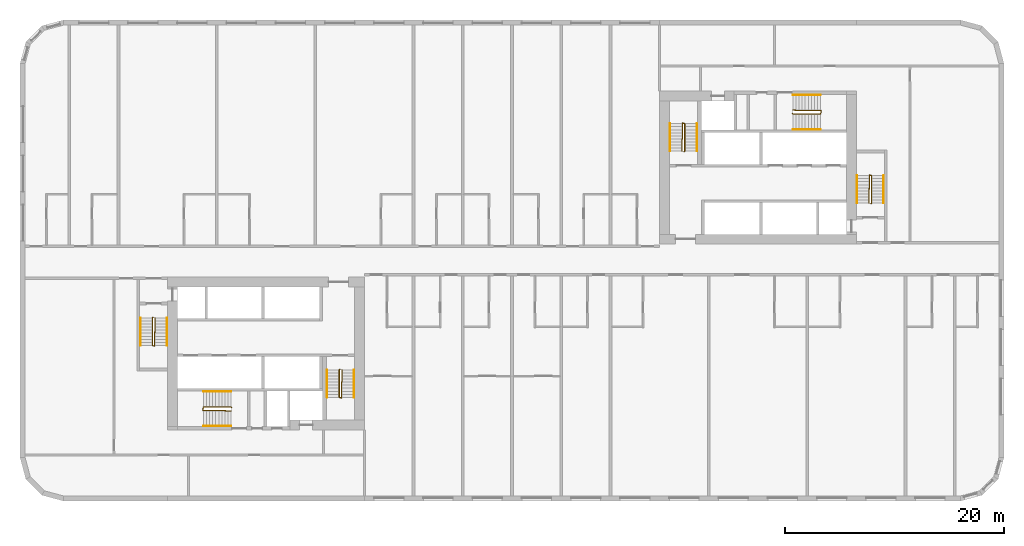
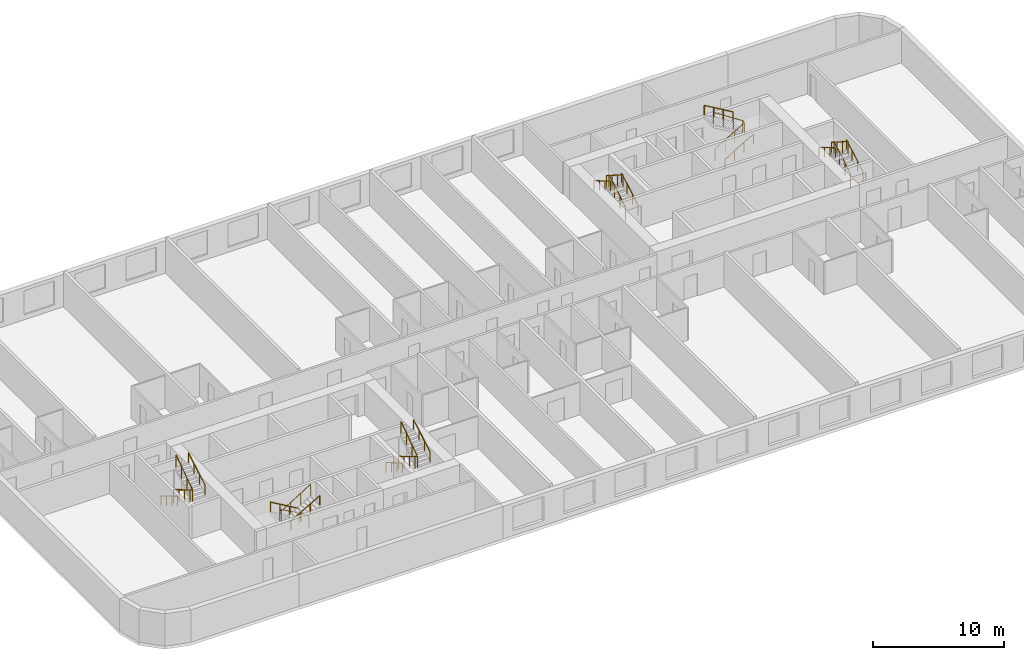
# One storey, part 12 of 12: 18 railings.
"""IFC4 building model written with IfcOpenShell, lengths in metres."""

from ifc_helpers import new_model, si_unit, direction, frame, origin, origin_2d, place, context, subcontext, project, spatial, circle, extrude, material, type_object, element, save


model = new_model("IFC4")

# Units and contexts
model_context = context("Model", 3, precision=1e-05, world=origin(), true_north=direction((0.0, 1.0)))
body_context = subcontext(model_context, "Body", "Model", "MODEL_VIEW")
ifc_project = project(units=[si_unit("LENGTHUNIT", "METRE"), si_unit("AREAUNIT", "SQUARE_METRE"), si_unit("VOLUMEUNIT", "CUBIC_METRE"), si_unit("PLANEANGLEUNIT", "RADIAN"), si_unit("MASSUNIT", "GRAM", prefix="KILO")], contexts=[model_context])

# Site, building, storey
site_placement = place(None, origin())
site = spatial("IfcSite", under=ifc_project, at=site_placement, CompositionType="ELEMENT")
building_placement = place(site_placement, origin())
building = spatial("IfcBuilding", under=site, at=building_placement, Name="Kajstack Hotel Tower", CompositionType="ELEMENT")
storey_placement = place(building_placement, frame((0.0, 0.0, 93.0)))
storey = spatial("IfcBuildingStorey", under=building, at=storey_placement, Name="L19", CompositionType="ELEMENT", Elevation=93.0)

# Railings
ifc_material = material(Name="Steel S355J2", Category="steel")
railing_type_1 = type_object("IfcRailingType", Name="Stair guard 1100", PredefinedType="GUARDRAIL", material=ifc_material)
railing_1_placement = place(storey_placement, frame((-32.85009765625, -5.199951171875, 0.0)))
element("IfcRailing", 1, at=railing_1_placement, inside=storey, type_object=railing_type_1, Name="L19 W1 stair guard 1", PredefinedType="GUARDRAIL", context=body_context, shape_type="SweptSolid", body=[
    extrude(circle(Radius=0.02392578125, at=origin_2d()), frame((0.0, 0.0, 1.076171875), z_axis=(-0.277450376394, -0.278810427259, 0.919394384522), x_axis=(0.708833529934, -0.705375805398, 0.0)), (0.0, 0.0, 1.0), 0.179443359375),
    extrude(circle(Radius=0.02392578125, at=origin_2d()), frame((-0.0498046875, -0.050048828125, 1.2412109375), z_axis=(0.0, -0.861560626758, 0.507654692109), x_axis=(1.0, 0.0, 0.0)), (0.0, 0.0, 1.0), 2.925048828125),
    extrude(circle(Radius=0.02392578125, at=origin_2d()), frame((-0.0498046875, -2.570068359375, 2.72607421875), z_axis=(0.970072785993, -0.242814311512, 0.0), x_axis=(0.242814311512, 0.970072785993, 0.0)), (0.0, 0.0, 1.0), 0.2060546875),
    extrude(circle(Radius=0.02392578125, at=origin_2d()), frame((0.150146484375, -2.6201171875, 2.72607421875), z_axis=(0.016384601254, 0.84136925563, 0.540212292087), x_axis=(-0.999810440751, 0.019470042781, 0.0)), (0.0, 0.0, 1.0), 3.0546875),
    extrude(circle(Radius=0.02099609375, at=origin_2d()), origin(), (0.0, 0.0, 1.0), 1.052001953125),
    extrude(circle(Radius=0.02099609375, at=origin_2d()), frame((-0.0498046875, -0.050048828125, 0.1650390625)), (0.0, 0.0, 1.0), 1.052001953125),
    extrude(circle(Radius=0.02099609375, at=origin_2d()), frame((-0.0498046875, -0.89013671875, 0.659912109375)), (0.0, 0.0, 1.0), 1.052001953125),
    extrude(circle(Radius=0.02099609375, at=origin_2d()), frame((-0.0498046875, -1.72998046875, 1.155029296875)), (0.0, 0.0, 1.0), 1.052001953125),
    extrude(circle(Radius=0.02099609375, at=origin_2d()), frame((-0.0498046875, -2.570068359375, 1.64990234375)), (0.0, 0.0, 1.0), 1.052001953125),
    extrude(circle(Radius=0.02099609375, at=origin_2d()), frame((0.150146484375, -2.6201171875, 1.64990234375)), (0.0, 0.0, 1.0), 1.052001953125),
    extrude(circle(Radius=0.02099609375, at=origin_2d()), frame((0.166748046875, -1.763427734375, 2.199951171875)), (0.0, 0.0, 1.0), 1.052001953125),
    extrude(circle(Radius=0.02099609375, at=origin_2d()), frame((0.18359375, -0.90673828125, 2.75)), (0.0, 0.0, 1.0), 1.052001953125),
    extrude(circle(Radius=0.02099609375, at=origin_2d()), frame((0.2001953125, -0.050048828125, 3.300048828125)), (0.0, 0.0, 1.0), 1.052001953125),
])
railing_2_placement = place(storey_placement, frame((-15.75, -9.949951171875, 0.0)))
element("IfcRailing", 2, at=railing_2_placement, inside=storey, type_object=railing_type_1, Name="L19 W2 stair guard 1", PredefinedType="GUARDRAIL", context=body_context, shape_type="SweptSolid", body=[
    extrude(circle(Radius=0.02392578125, at=origin_2d()), frame((0.0, 0.0, 1.076171875), z_axis=(-0.278705021027, -0.278705021027, 0.919046801044), x_axis=(0.707106781187, -0.707106781187, 0.0)), (0.0, 0.0, 1.0), 0.1796875),
    extrude(circle(Radius=0.02392578125, at=origin_2d()), frame((-0.050048828125, -0.050048828125, 1.2412109375), z_axis=(0.0, -0.861560626758, 0.507654692109), x_axis=(1.0, 0.0, 0.0)), (0.0, 0.0, 1.0), 2.925048828125),
    extrude(circle(Radius=0.02392578125, at=origin_2d()), frame((-0.050048828125, -2.570068359375, 2.72607421875), z_axis=(0.970072785993, -0.242814311512, 0.0), x_axis=(0.242814311512, 0.970072785993, 0.0)), (0.0, 0.0, 1.0), 0.2060546875),
    extrude(circle(Radius=0.02392578125, at=origin_2d()), frame((0.14990234375, -2.6201171875, 2.72607421875), z_axis=(0.016384601254, 0.84136925563, 0.540212292087), x_axis=(-0.999810440751, 0.019470042781, 0.0)), (0.0, 0.0, 1.0), 3.0546875),
    extrude(circle(Radius=0.02099609375, at=origin_2d()), origin(), (0.0, 0.0, 1.0), 1.052001953125),
    extrude(circle(Radius=0.02099609375, at=origin_2d()), frame((-0.050048828125, -0.050048828125, 0.1650390625)), (0.0, 0.0, 1.0), 1.052001953125),
    extrude(circle(Radius=0.02099609375, at=origin_2d()), frame((-0.050048828125, -0.89013671875, 0.659912109375)), (0.0, 0.0, 1.0), 1.052001953125),
    extrude(circle(Radius=0.02099609375, at=origin_2d()), frame((-0.050048828125, -1.72998046875, 1.155029296875)), (0.0, 0.0, 1.0), 1.052001953125),
    extrude(circle(Radius=0.02099609375, at=origin_2d()), frame((-0.050048828125, -2.570068359375, 1.64990234375)), (0.0, 0.0, 1.0), 1.052001953125),
    extrude(circle(Radius=0.02099609375, at=origin_2d()), frame((0.14990234375, -2.6201171875, 1.64990234375)), (0.0, 0.0, 1.0), 1.052001953125),
    extrude(circle(Radius=0.02099609375, at=origin_2d()), frame((0.16650390625, -1.763427734375, 2.199951171875)), (0.0, 0.0, 1.0), 1.052001953125),
    extrude(circle(Radius=0.02099609375, at=origin_2d()), frame((0.183349609375, -0.90673828125, 2.75)), (0.0, 0.0, 1.0), 1.052001953125),
    extrude(circle(Radius=0.02099609375, at=origin_2d()), frame((0.199951171875, -0.050048828125, 3.300048828125)), (0.0, 0.0, 1.0), 1.052001953125),
])
railing_3_placement = place(storey_placement, frame((-25.64990234375, -13.449951171875, 0.0)))
element("IfcRailing", 3, at=railing_3_placement, inside=storey, type_object=railing_type_1, Name="L19 W3 stair guard 1", PredefinedType="GUARDRAIL", context=body_context, shape_type="SweptSolid", body=[
    extrude(circle(Radius=0.02392578125, at=origin_2d()), frame((0.0, 0.0, 1.076171875), z_axis=(-0.278705021027, 0.278705021027, 0.919046801044), x_axis=(-0.707106781187, -0.707106781187, 0.0)), (0.0, 0.0, 1.0), 0.1796875),
    extrude(circle(Radius=0.02392578125, at=origin_2d()), frame((-0.050048828125, 0.050048828125, 1.2412109375), z_axis=(-0.861560626758, 0.0, 0.507654692109), x_axis=(0.0, -1.0, 0.0)), (0.0, 0.0, 1.0), 2.925048828125),
    extrude(circle(Radius=0.02392578125, at=origin_2d()), frame((-2.570068359375, 0.050048828125, 2.72607421875), z_axis=(-0.164529134168, -0.986372223864, 0.0), x_axis=(0.986372223864, -0.164529134168, 0.0)), (0.0, 0.0, 1.0), 0.30419921875),
    extrude(circle(Radius=0.02392578125, at=origin_2d()), frame((-2.6201171875, -0.25, 2.72607421875), z_axis=(0.84136925563, -0.016384601254, 0.540212292087), x_axis=(0.019470042781, 0.999810440751, 0.0)), (0.0, 0.0, 1.0), 3.0546875),
    extrude(circle(Radius=0.02099609375, at=origin_2d()), origin(), (0.0, 0.0, 1.0), 1.052001953125),
    extrude(circle(Radius=0.02099609375, at=origin_2d()), frame((-0.050048828125, 0.050048828125, 0.1650390625)), (0.0, 0.0, 1.0), 1.052001953125),
    extrude(circle(Radius=0.02099609375, at=origin_2d()), frame((-0.89013671875, 0.050048828125, 0.659912109375)), (0.0, 0.0, 1.0), 1.052001953125),
    extrude(circle(Radius=0.02099609375, at=origin_2d()), frame((-1.72998046875, 0.050048828125, 1.155029296875)), (0.0, 0.0, 1.0), 1.052001953125),
    extrude(circle(Radius=0.02099609375, at=origin_2d()), frame((-2.570068359375, 0.050048828125, 1.64990234375)), (0.0, 0.0, 1.0), 1.052001953125),
    extrude(circle(Radius=0.02099609375, at=origin_2d()), frame((-2.6201171875, -0.25, 1.64990234375)), (0.0, 0.0, 1.0), 1.052001953125),
    extrude(circle(Radius=0.02099609375, at=origin_2d()), frame((-1.763427734375, -0.2666015625, 2.199951171875)), (0.0, 0.0, 1.0), 1.052001953125),
    extrude(circle(Radius=0.02099609375, at=origin_2d()), frame((-0.90673828125, -0.283447265625, 2.75)), (0.0, 0.0, 1.0), 1.052001953125),
    extrude(circle(Radius=0.02099609375, at=origin_2d()), frame((-0.050048828125, -0.300048828125, 3.300048828125)), (0.0, 0.0, 1.0), 1.052001953125),
])
railing_4_placement = place(storey_placement, frame((32.85009765625, 5.199951171875, 0.0)))
element("IfcRailing", 4, at=railing_4_placement, inside=storey, type_object=railing_type_1, Name="L19 E1 stair guard 1", PredefinedType="GUARDRAIL", context=body_context, shape_type="SweptSolid", body=[
    extrude(circle(Radius=0.02392578125, at=origin_2d()), frame((0.0, 0.0, 1.076171875), z_axis=(0.277450376394, 0.278810427259, 0.919394384522), x_axis=(-0.708833529934, 0.705375805398, 0.0)), (0.0, 0.0, 1.0), 0.179443359375),
    extrude(circle(Radius=0.02392578125, at=origin_2d()), frame((0.0498046875, 0.050048828125, 1.2412109375), z_axis=(0.0, 0.861560626758, 0.507654692109), x_axis=(-1.0, 0.0, 0.0)), (0.0, 0.0, 1.0), 2.925048828125),
    extrude(circle(Radius=0.02392578125, at=origin_2d()), frame((0.0498046875, 2.570068359375, 2.72607421875), z_axis=(-0.970072785993, 0.242814311512, 0.0), x_axis=(-0.242814311512, -0.970072785993, 0.0)), (0.0, 0.0, 1.0), 0.2060546875),
    extrude(circle(Radius=0.02392578125, at=origin_2d()), frame((-0.150146484375, 2.6201171875, 2.72607421875), z_axis=(-0.016384601254, -0.84136925563, 0.540212292087), x_axis=(0.999810440751, -0.019470042781, 0.0)), (0.0, 0.0, 1.0), 3.0546875),
    extrude(circle(Radius=0.02099609375, at=origin_2d()), origin(), (0.0, 0.0, 1.0), 1.052001953125),
    extrude(circle(Radius=0.02099609375, at=origin_2d()), frame((0.0498046875, 0.050048828125, 0.1650390625)), (0.0, 0.0, 1.0), 1.052001953125),
    extrude(circle(Radius=0.02099609375, at=origin_2d()), frame((0.0498046875, 0.89013671875, 0.659912109375)), (0.0, 0.0, 1.0), 1.052001953125),
    extrude(circle(Radius=0.02099609375, at=origin_2d()), frame((0.0498046875, 1.72998046875, 1.155029296875)), (0.0, 0.0, 1.0), 1.052001953125),
    extrude(circle(Radius=0.02099609375, at=origin_2d()), frame((0.0498046875, 2.570068359375, 1.64990234375)), (0.0, 0.0, 1.0), 1.052001953125),
    extrude(circle(Radius=0.02099609375, at=origin_2d()), frame((-0.150146484375, 2.6201171875, 1.64990234375)), (0.0, 0.0, 1.0), 1.052001953125),
    extrude(circle(Radius=0.02099609375, at=origin_2d()), frame((-0.166748046875, 1.763427734375, 2.199951171875)), (0.0, 0.0, 1.0), 1.052001953125),
    extrude(circle(Radius=0.02099609375, at=origin_2d()), frame((-0.18359375, 0.90673828125, 2.75)), (0.0, 0.0, 1.0), 1.052001953125),
    extrude(circle(Radius=0.02099609375, at=origin_2d()), frame((-0.2001953125, 0.050048828125, 3.300048828125)), (0.0, 0.0, 1.0), 1.052001953125),
])
railing_5_placement = place(storey_placement, frame((15.75, 9.949951171875, 0.0)))
element("IfcRailing", 5, at=railing_5_placement, inside=storey, type_object=railing_type_1, Name="L19 E2 stair guard 1", PredefinedType="GUARDRAIL", context=body_context, shape_type="SweptSolid", body=[
    extrude(circle(Radius=0.02392578125, at=origin_2d()), frame((0.0, 0.0, 1.076171875), z_axis=(0.278705021027, 0.278705021027, 0.919046801044), x_axis=(-0.707106781187, 0.707106781187, 0.0)), (0.0, 0.0, 1.0), 0.1796875),
    extrude(circle(Radius=0.02392578125, at=origin_2d()), frame((0.050048828125, 0.050048828125, 1.2412109375), z_axis=(0.0, 0.861560626758, 0.507654692109), x_axis=(-1.0, 0.0, 0.0)), (0.0, 0.0, 1.0), 2.925048828125),
    extrude(circle(Radius=0.02392578125, at=origin_2d()), frame((0.050048828125, 2.570068359375, 2.72607421875), z_axis=(-0.970072785993, 0.242814311512, 0.0), x_axis=(-0.242814311512, -0.970072785993, 0.0)), (0.0, 0.0, 1.0), 0.2060546875),
    extrude(circle(Radius=0.02392578125, at=origin_2d()), frame((-0.14990234375, 2.6201171875, 2.72607421875), z_axis=(-0.016384601254, -0.84136925563, 0.540212292087), x_axis=(0.999810440751, -0.019470042781, 0.0)), (0.0, 0.0, 1.0), 3.0546875),
    extrude(circle(Radius=0.02099609375, at=origin_2d()), origin(), (0.0, 0.0, 1.0), 1.052001953125),
    extrude(circle(Radius=0.02099609375, at=origin_2d()), frame((0.050048828125, 0.050048828125, 0.1650390625)), (0.0, 0.0, 1.0), 1.052001953125),
    extrude(circle(Radius=0.02099609375, at=origin_2d()), frame((0.050048828125, 0.89013671875, 0.659912109375)), (0.0, 0.0, 1.0), 1.052001953125),
    extrude(circle(Radius=0.02099609375, at=origin_2d()), frame((0.050048828125, 1.72998046875, 1.155029296875)), (0.0, 0.0, 1.0), 1.052001953125),
    extrude(circle(Radius=0.02099609375, at=origin_2d()), frame((0.050048828125, 2.570068359375, 1.64990234375)), (0.0, 0.0, 1.0), 1.052001953125),
    extrude(circle(Radius=0.02099609375, at=origin_2d()), frame((-0.14990234375, 2.6201171875, 1.64990234375)), (0.0, 0.0, 1.0), 1.052001953125),
    extrude(circle(Radius=0.02099609375, at=origin_2d()), frame((-0.16650390625, 1.763427734375, 2.199951171875)), (0.0, 0.0, 1.0), 1.052001953125),
    extrude(circle(Radius=0.02099609375, at=origin_2d()), frame((-0.183349609375, 0.90673828125, 2.75)), (0.0, 0.0, 1.0), 1.052001953125),
    extrude(circle(Radius=0.02099609375, at=origin_2d()), frame((-0.199951171875, 0.050048828125, 3.300048828125)), (0.0, 0.0, 1.0), 1.052001953125),
])
railing_6_placement = place(storey_placement, frame((25.64990234375, 13.449951171875, 0.0)))
element("IfcRailing", 6, at=railing_6_placement, inside=storey, type_object=railing_type_1, Name="L19 E3 stair guard 1", PredefinedType="GUARDRAIL", context=body_context, shape_type="SweptSolid", body=[
    extrude(circle(Radius=0.02392578125, at=origin_2d()), frame((0.0, 0.0, 1.076171875), z_axis=(0.278705021027, -0.278705021027, 0.919046801044), x_axis=(0.707106781187, 0.707106781187, 0.0)), (0.0, 0.0, 1.0), 0.1796875),
    extrude(circle(Radius=0.02392578125, at=origin_2d()), frame((0.050048828125, -0.050048828125, 1.2412109375), z_axis=(0.861560626758, 0.0, 0.507654692109), x_axis=(0.0, 1.0, 0.0)), (0.0, 0.0, 1.0), 2.925048828125),
    extrude(circle(Radius=0.02392578125, at=origin_2d()), frame((2.570068359375, -0.050048828125, 2.72607421875), z_axis=(0.164529134168, 0.986372223864, 0.0), x_axis=(-0.986372223864, 0.164529134168, 0.0)), (0.0, 0.0, 1.0), 0.30419921875),
    extrude(circle(Radius=0.02392578125, at=origin_2d()), frame((2.6201171875, 0.25, 2.72607421875), z_axis=(-0.84136925563, 0.016384601254, 0.540212292087), x_axis=(-0.019470042781, -0.999810440751, 0.0)), (0.0, 0.0, 1.0), 3.0546875),
    extrude(circle(Radius=0.02099609375, at=origin_2d()), origin(), (0.0, 0.0, 1.0), 1.052001953125),
    extrude(circle(Radius=0.02099609375, at=origin_2d()), frame((0.050048828125, -0.050048828125, 0.1650390625)), (0.0, 0.0, 1.0), 1.052001953125),
    extrude(circle(Radius=0.02099609375, at=origin_2d()), frame((0.89013671875, -0.050048828125, 0.659912109375)), (0.0, 0.0, 1.0), 1.052001953125),
    extrude(circle(Radius=0.02099609375, at=origin_2d()), frame((1.72998046875, -0.050048828125, 1.155029296875)), (0.0, 0.0, 1.0), 1.052001953125),
    extrude(circle(Radius=0.02099609375, at=origin_2d()), frame((2.570068359375, -0.050048828125, 1.64990234375)), (0.0, 0.0, 1.0), 1.052001953125),
    extrude(circle(Radius=0.02099609375, at=origin_2d()), frame((2.6201171875, 0.25, 1.64990234375)), (0.0, 0.0, 1.0), 1.052001953125),
    extrude(circle(Radius=0.02099609375, at=origin_2d()), frame((1.763427734375, 0.2666015625, 2.199951171875)), (0.0, 0.0, 1.0), 1.052001953125),
    extrude(circle(Radius=0.02099609375, at=origin_2d()), frame((0.90673828125, 0.283447265625, 2.75)), (0.0, 0.0, 1.0), 1.052001953125),
    extrude(circle(Radius=0.02099609375, at=origin_2d()), frame((0.050048828125, 0.300048828125, 3.300048828125)), (0.0, 0.0, 1.0), 1.052001953125),
])
railing_type_2 = type_object("IfcRailingType", Name="Stair handrail 900", PredefinedType="HANDRAIL", material=ifc_material)
railing_7_placement = place(storey_placement, frame((-34.0, -5.25, 0.1650390625)))
element("IfcRailing", 7, at=railing_7_placement, inside=storey, type_object=railing_type_2, Name="L19 W1 stair handrail 1", PredefinedType="HANDRAIL", context=body_context, shape_type="SweptSolid", body=[
    extrude(circle(Radius=0.02392578125, at=origin_2d()), frame((0.0, 0.0, 0.8759765625), z_axis=(0.0, -0.861560626758, 0.507654692109), x_axis=(1.0, 0.0, 0.0)), (0.0, 0.0, 1.0), 2.925048828125),
    extrude(circle(Radius=0.02099609375, at=origin_2d()), origin(), (0.0, 0.0, 1.0), 0.851806640625),
    extrude(circle(Radius=0.02099609375, at=origin_2d()), frame((0.0, -0.840087890625, 0.494873046875)), (0.0, 0.0, 1.0), 0.851806640625),
    extrude(circle(Radius=0.02099609375, at=origin_2d()), frame((0.0, -1.679931640625, 0.989990234375)), (0.0, 0.0, 1.0), 0.851806640625),
    extrude(circle(Radius=0.02099609375, at=origin_2d()), frame((0.0, -2.52001953125, 1.48486328125)), (0.0, 0.0, 1.0), 0.851806640625),
])
railing_8_placement = place(storey_placement, frame((-31.550048828125, -7.77001953125, 1.81494140625)))
element("IfcRailing", 8, at=railing_8_placement, inside=storey, type_object=railing_type_2, Name="L19 W1 stair handrail 2", PredefinedType="HANDRAIL", context=body_context, shape_type="SweptSolid", body=[
    extrude(circle(Radius=0.02392578125, at=origin_2d()), frame((0.0, 0.0, 0.8759765625), z_axis=(0.0, 0.86152411907, 0.507716645641), x_axis=(-1.0, 0.0, 0.0)), (0.0, 0.0, 1.0), 2.925048828125),
    extrude(circle(Radius=0.02099609375, at=origin_2d()), origin(), (0.0, 0.0, 1.0), 0.851806640625),
    extrude(circle(Radius=0.02099609375, at=origin_2d()), frame((0.0, 0.840087890625, 0.4951171875)), (0.0, 0.0, 1.0), 0.851806640625),
    extrude(circle(Radius=0.02099609375, at=origin_2d()), frame((0.0, 1.679931640625, 0.989990234375)), (0.0, 0.0, 1.0), 0.851806640625),
    extrude(circle(Radius=0.02099609375, at=origin_2d()), frame((0.0, 2.52001953125, 1.485107421875)), (0.0, 0.0, 1.0), 0.851806640625),
])
railing_9_placement = place(storey_placement, frame((-16.89990234375, -10.0, 0.1650390625)))
element("IfcRailing", 9, at=railing_9_placement, inside=storey, type_object=railing_type_2, Name="L19 W2 stair handrail 1", PredefinedType="HANDRAIL", context=body_context, shape_type="SweptSolid", body=[
    extrude(circle(Radius=0.02392578125, at=origin_2d()), frame((0.0, 0.0, 0.8759765625), z_axis=(0.0, -0.861560626758, 0.507654692109), x_axis=(1.0, 0.0, 0.0)), (0.0, 0.0, 1.0), 2.925048828125),
    extrude(circle(Radius=0.02099609375, at=origin_2d()), origin(), (0.0, 0.0, 1.0), 0.851806640625),
    extrude(circle(Radius=0.02099609375, at=origin_2d()), frame((0.0, -0.840087890625, 0.494873046875)), (0.0, 0.0, 1.0), 0.851806640625),
    extrude(circle(Radius=0.02099609375, at=origin_2d()), frame((0.0, -1.679931640625, 0.989990234375)), (0.0, 0.0, 1.0), 0.851806640625),
    extrude(circle(Radius=0.02099609375, at=origin_2d()), frame((0.0, -2.52001953125, 1.48486328125)), (0.0, 0.0, 1.0), 0.851806640625),
])
railing_10_placement = place(storey_placement, frame((-14.449951171875, -12.52001953125, 1.81494140625)))
element("IfcRailing", 10, at=railing_10_placement, inside=storey, type_object=railing_type_2, Name="L19 W2 stair handrail 2", PredefinedType="HANDRAIL", context=body_context, shape_type="SweptSolid", body=[
    extrude(circle(Radius=0.02392578125, at=origin_2d()), frame((0.0, 0.0, 0.8759765625), z_axis=(0.0, 0.86152411907, 0.507716645641), x_axis=(-1.0, 0.0, 0.0)), (0.0, 0.0, 1.0), 2.925048828125),
    extrude(circle(Radius=0.02099609375, at=origin_2d()), origin(), (0.0, 0.0, 1.0), 0.851806640625),
    extrude(circle(Radius=0.02099609375, at=origin_2d()), frame((0.0, 0.840087890625, 0.4951171875)), (0.0, 0.0, 1.0), 0.851806640625),
    extrude(circle(Radius=0.02099609375, at=origin_2d()), frame((0.0, 1.679931640625, 0.989990234375)), (0.0, 0.0, 1.0), 0.851806640625),
    extrude(circle(Radius=0.02099609375, at=origin_2d()), frame((0.0, 2.52001953125, 1.485107421875)), (0.0, 0.0, 1.0), 0.851806640625),
])
railing_11_placement = place(storey_placement, frame((-25.699951171875, -12.0, 0.1650390625)))
element("IfcRailing", 11, at=railing_11_placement, inside=storey, type_object=railing_type_2, Name="L19 W3 stair handrail 1", PredefinedType="HANDRAIL", context=body_context, shape_type="SweptSolid", body=[
    extrude(circle(Radius=0.02392578125, at=origin_2d()), frame((0.0, 0.0, 0.8759765625), z_axis=(-0.861560626758, 0.0, 0.507654692109), x_axis=(0.0, -1.0, 0.0)), (0.0, 0.0, 1.0), 2.925048828125),
    extrude(circle(Radius=0.02099609375, at=origin_2d()), origin(), (0.0, 0.0, 1.0), 0.851806640625),
    extrude(circle(Radius=0.02099609375, at=origin_2d()), frame((-0.840087890625, 0.0, 0.494873046875)), (0.0, 0.0, 1.0), 0.851806640625),
    extrude(circle(Radius=0.02099609375, at=origin_2d()), frame((-1.679931640625, 0.0, 0.989990234375)), (0.0, 0.0, 1.0), 0.851806640625),
    extrude(circle(Radius=0.02099609375, at=origin_2d()), frame((-2.52001953125, 0.0, 1.48486328125)), (0.0, 0.0, 1.0), 0.851806640625),
])
railing_12_placement = place(storey_placement, frame((-28.219970703125, -15.14990234375, 1.81494140625)))
element("IfcRailing", 12, at=railing_12_placement, inside=storey, type_object=railing_type_2, Name="L19 W3 stair handrail 2", PredefinedType="HANDRAIL", context=body_context, shape_type="SweptSolid", body=[
    extrude(circle(Radius=0.02392578125, at=origin_2d()), frame((0.0, 0.0, 0.8759765625), z_axis=(0.86152411907, 0.0, 0.507716645641), x_axis=(0.0, 1.0, 0.0)), (0.0, 0.0, 1.0), 2.925048828125),
    extrude(circle(Radius=0.02099609375, at=origin_2d()), origin(), (0.0, 0.0, 1.0), 0.851806640625),
    extrude(circle(Radius=0.02099609375, at=origin_2d()), frame((0.840087890625, 0.0, 0.4951171875)), (0.0, 0.0, 1.0), 0.851806640625),
    extrude(circle(Radius=0.02099609375, at=origin_2d()), frame((1.679931640625, 0.0, 0.989990234375)), (0.0, 0.0, 1.0), 0.851806640625),
    extrude(circle(Radius=0.02099609375, at=origin_2d()), frame((2.52001953125, 0.0, 1.485107421875)), (0.0, 0.0, 1.0), 0.851806640625),
])
railing_13_placement = place(storey_placement, frame((34.0, 5.25, 0.1650390625)))
element("IfcRailing", 13, at=railing_13_placement, inside=storey, type_object=railing_type_2, Name="L19 E1 stair handrail 1", PredefinedType="HANDRAIL", context=body_context, shape_type="SweptSolid", body=[
    extrude(circle(Radius=0.02392578125, at=origin_2d()), frame((0.0, 0.0, 0.8759765625), z_axis=(0.0, 0.861560626758, 0.507654692109), x_axis=(-1.0, 0.0, 0.0)), (0.0, 0.0, 1.0), 2.925048828125),
    extrude(circle(Radius=0.02099609375, at=origin_2d()), origin(), (0.0, 0.0, 1.0), 0.851806640625),
    extrude(circle(Radius=0.02099609375, at=origin_2d()), frame((0.0, 0.840087890625, 0.494873046875)), (0.0, 0.0, 1.0), 0.851806640625),
    extrude(circle(Radius=0.02099609375, at=origin_2d()), frame((0.0, 1.679931640625, 0.989990234375)), (0.0, 0.0, 1.0), 0.851806640625),
    extrude(circle(Radius=0.02099609375, at=origin_2d()), frame((0.0, 2.52001953125, 1.48486328125)), (0.0, 0.0, 1.0), 0.851806640625),
])
railing_14_placement = place(storey_placement, frame((31.550048828125, 7.77001953125, 1.81494140625)))
element("IfcRailing", 14, at=railing_14_placement, inside=storey, type_object=railing_type_2, Name="L19 E1 stair handrail 2", PredefinedType="HANDRAIL", context=body_context, shape_type="SweptSolid", body=[
    extrude(circle(Radius=0.02392578125, at=origin_2d()), frame((0.0, 0.0, 0.8759765625), z_axis=(0.0, -0.86152411907, 0.507716645641), x_axis=(1.0, 0.0, 0.0)), (0.0, 0.0, 1.0), 2.925048828125),
    extrude(circle(Radius=0.02099609375, at=origin_2d()), origin(), (0.0, 0.0, 1.0), 0.851806640625),
    extrude(circle(Radius=0.02099609375, at=origin_2d()), frame((0.0, -0.840087890625, 0.4951171875)), (0.0, 0.0, 1.0), 0.851806640625),
    extrude(circle(Radius=0.02099609375, at=origin_2d()), frame((0.0, -1.679931640625, 0.989990234375)), (0.0, 0.0, 1.0), 0.851806640625),
    extrude(circle(Radius=0.02099609375, at=origin_2d()), frame((0.0, -2.52001953125, 1.485107421875)), (0.0, 0.0, 1.0), 0.851806640625),
])
railing_15_placement = place(storey_placement, frame((16.89990234375, 10.0, 0.1650390625)))
element("IfcRailing", 15, at=railing_15_placement, inside=storey, type_object=railing_type_2, Name="L19 E2 stair handrail 1", PredefinedType="HANDRAIL", context=body_context, shape_type="SweptSolid", body=[
    extrude(circle(Radius=0.02392578125, at=origin_2d()), frame((0.0, 0.0, 0.8759765625), z_axis=(0.0, 0.861560626758, 0.507654692109), x_axis=(-1.0, 0.0, 0.0)), (0.0, 0.0, 1.0), 2.925048828125),
    extrude(circle(Radius=0.02099609375, at=origin_2d()), origin(), (0.0, 0.0, 1.0), 0.851806640625),
    extrude(circle(Radius=0.02099609375, at=origin_2d()), frame((0.0, 0.840087890625, 0.494873046875)), (0.0, 0.0, 1.0), 0.851806640625),
    extrude(circle(Radius=0.02099609375, at=origin_2d()), frame((0.0, 1.679931640625, 0.989990234375)), (0.0, 0.0, 1.0), 0.851806640625),
    extrude(circle(Radius=0.02099609375, at=origin_2d()), frame((0.0, 2.52001953125, 1.48486328125)), (0.0, 0.0, 1.0), 0.851806640625),
])
railing_16_placement = place(storey_placement, frame((14.449951171875, 12.52001953125, 1.81494140625)))
element("IfcRailing", 16, at=railing_16_placement, inside=storey, type_object=railing_type_2, Name="L19 E2 stair handrail 2", PredefinedType="HANDRAIL", context=body_context, shape_type="SweptSolid", body=[
    extrude(circle(Radius=0.02392578125, at=origin_2d()), frame((0.0, 0.0, 0.8759765625), z_axis=(0.0, -0.86152411907, 0.507716645641), x_axis=(1.0, 0.0, 0.0)), (0.0, 0.0, 1.0), 2.925048828125),
    extrude(circle(Radius=0.02099609375, at=origin_2d()), origin(), (0.0, 0.0, 1.0), 0.851806640625),
    extrude(circle(Radius=0.02099609375, at=origin_2d()), frame((0.0, -0.840087890625, 0.4951171875)), (0.0, 0.0, 1.0), 0.851806640625),
    extrude(circle(Radius=0.02099609375, at=origin_2d()), frame((0.0, -1.679931640625, 0.989990234375)), (0.0, 0.0, 1.0), 0.851806640625),
    extrude(circle(Radius=0.02099609375, at=origin_2d()), frame((0.0, -2.52001953125, 1.485107421875)), (0.0, 0.0, 1.0), 0.851806640625),
])
railing_17_placement = place(storey_placement, frame((25.699951171875, 12.0, 0.1650390625)))
element("IfcRailing", 17, at=railing_17_placement, inside=storey, type_object=railing_type_2, Name="L19 E3 stair handrail 1", PredefinedType="HANDRAIL", context=body_context, shape_type="SweptSolid", body=[
    extrude(circle(Radius=0.02392578125, at=origin_2d()), frame((0.0, 0.0, 0.8759765625), z_axis=(0.861560626758, 0.0, 0.507654692109), x_axis=(0.0, 1.0, 0.0)), (0.0, 0.0, 1.0), 2.925048828125),
    extrude(circle(Radius=0.02099609375, at=origin_2d()), origin(), (0.0, 0.0, 1.0), 0.851806640625),
    extrude(circle(Radius=0.02099609375, at=origin_2d()), frame((0.840087890625, 0.0, 0.494873046875)), (0.0, 0.0, 1.0), 0.851806640625),
    extrude(circle(Radius=0.02099609375, at=origin_2d()), frame((1.679931640625, 0.0, 0.989990234375)), (0.0, 0.0, 1.0), 0.851806640625),
    extrude(circle(Radius=0.02099609375, at=origin_2d()), frame((2.52001953125, 0.0, 1.48486328125)), (0.0, 0.0, 1.0), 0.851806640625),
])
railing_18_placement = place(storey_placement, frame((28.219970703125, 15.14990234375, 1.81494140625)))
element("IfcRailing", 18, at=railing_18_placement, inside=storey, type_object=railing_type_2, Name="L19 E3 stair handrail 2", PredefinedType="HANDRAIL", context=body_context, shape_type="SweptSolid", body=[
    extrude(circle(Radius=0.02392578125, at=origin_2d()), frame((0.0, 0.0, 0.8759765625), z_axis=(-0.86152411907, 0.0, 0.507716645641), x_axis=(0.0, -1.0, 0.0)), (0.0, 0.0, 1.0), 2.925048828125),
    extrude(circle(Radius=0.02099609375, at=origin_2d()), origin(), (0.0, 0.0, 1.0), 0.851806640625),
    extrude(circle(Radius=0.02099609375, at=origin_2d()), frame((-0.840087890625, 0.0, 0.4951171875)), (0.0, 0.0, 1.0), 0.851806640625),
    extrude(circle(Radius=0.02099609375, at=origin_2d()), frame((-1.679931640625, 0.0, 0.989990234375)), (0.0, 0.0, 1.0), 0.851806640625),
    extrude(circle(Radius=0.02099609375, at=origin_2d()), frame((-2.52001953125, 0.0, 1.485107421875)), (0.0, 0.0, 1.0), 0.851806640625),
])

save(model, "model.ifc")
